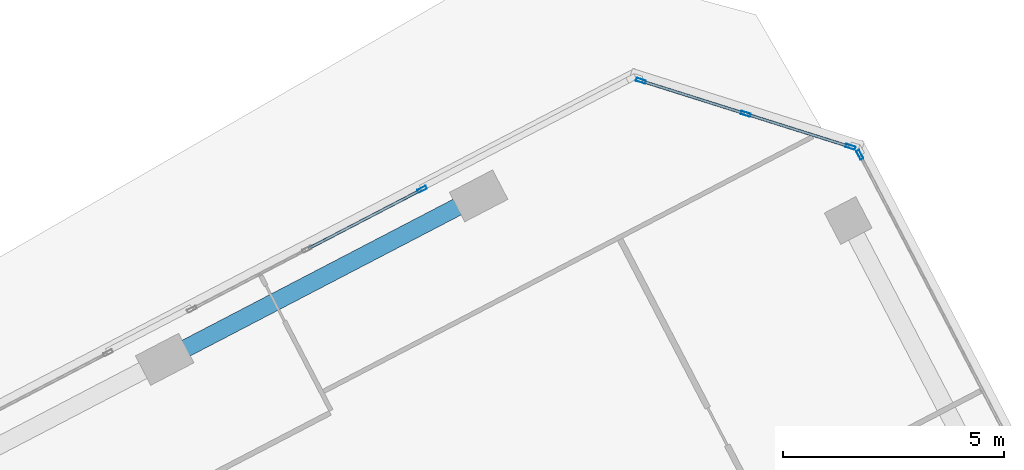
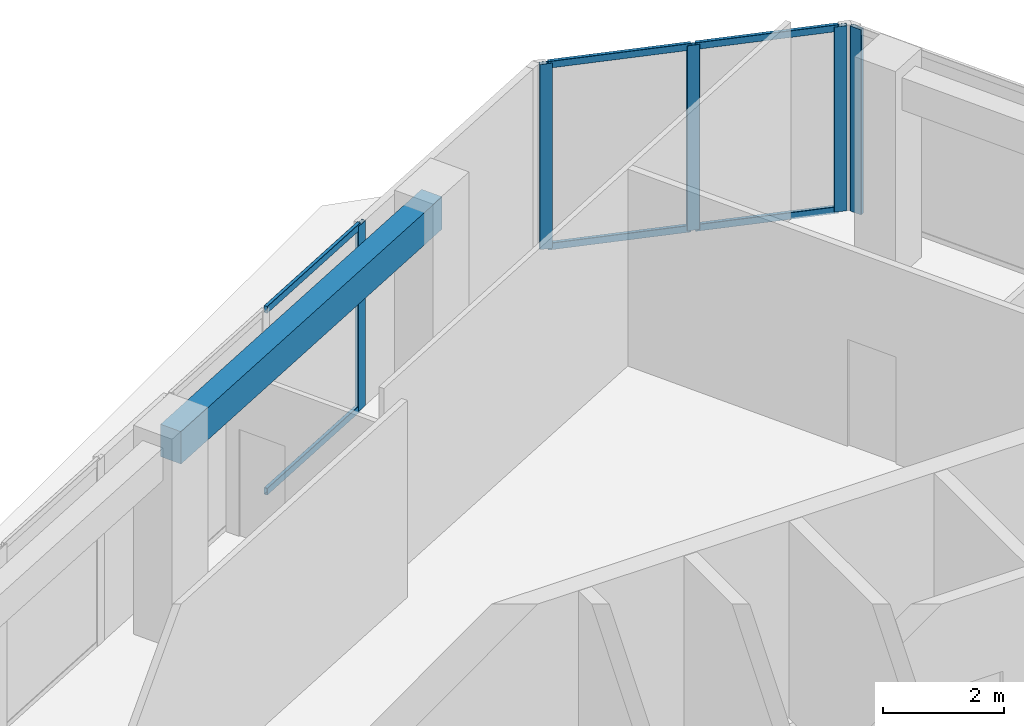
# One storey, part 9 of 16: 11 members, 1 beam, 3 elements without a shape of their own.
"""IFC4 building model written with IfcOpenShell, lengths in metres."""

from ifc_helpers import new_model, si_unit, direction, frame, origin, origin_2d, place, context, subcontext, project, spatial, rectangle, hollow_rectangle, extrude, source, transform, mapped, material, material_profile, profile_set, type_object, element, aggregate, save


model = new_model("IFC4")

# Units and contexts
model_context = context("Model", 3, precision=1e-05, world=origin(), true_north=direction((0.0, 1.0)))
body_context = subcontext(model_context, "Body", "Model", "MODEL_VIEW")
ifc_project = project(units=[si_unit("LENGTHUNIT", "METRE"), si_unit("AREAUNIT", "SQUARE_METRE"), si_unit("VOLUMEUNIT", "CUBIC_METRE"), si_unit("PLANEANGLEUNIT", "RADIAN"), si_unit("MASSUNIT", "GRAM", prefix="KILO")], contexts=[model_context])

# Site, building, storey
site_placement = place(None, origin())
site = spatial("IfcSite", under=ifc_project, at=site_placement, CompositionType="ELEMENT")
building_placement = place(site_placement, origin())
building = spatial("IfcBuilding", under=site, at=building_placement, Name="Torre Montelarca", CompositionType="ELEMENT")
storey_placement = place(building_placement, frame((0.0, 0.0, 328.199951171875)))
storey = spatial("IfcBuildingStorey", under=building, at=storey_placement, Name="L74", CompositionType="ELEMENT", Elevation=328.199951171875)

# Beam
ifc_material_1 = material(Name="Concrete C40/50", Category="concrete")
ifc_material_profile_1 = material_profile(ifc_material_1, rectangle(XDim=0.39990234375, YDim=0.64990234375, at=origin_2d()), Name="RCB400X650", Category="concrete")
ifc_profile_set_1 = profile_set([ifc_material_profile_1], Name="Concrete C40/50")
beam_type = type_object("IfcBeamType", Name="BM-SP-RC650-EXT", PredefinedType="SPANDREL", material=ifc_profile_set_1)
shared_shape_1 = source(origin(), body_context, "Body", "SweptSolid", [
    extrude(rectangle(XDim=0.39990234375, YDim=0.64990234375, at=origin_2d()), origin(), (0.0, 0.0, 1.0), 8.000244140625),
])
beam_placement = place(storey_placement, frame((13.719482421875, 46.946044921875, 3.635009765625), z_axis=(0.887008356996, 0.461753369906, 0.0), x_axis=(-0.461753369906, 0.887008356996, 0.0)))
element("IfcBeam", 1, at=beam_placement, inside=storey, type_object=beam_type, Name="L74 Grid Girder Y 32.0-40.0 at X=4.7", PredefinedType="SPANDREL", context=body_context, shape_type="MappedRepresentation", body=[
    mapped(shared_shape_1, transform((0.0, 0.0, 0.0), scale=1.0)),
])

# Curtain wall, members
ifc_material_2 = material(Name="Insulated low-E laminated glass", Category="glass")
curtain_wall_type = type_object("IfcCurtainWallType", Name="CW-SYS-Z4", PredefinedType="USERDEFINED", material=ifc_material_2)
curtain_wall_1_placement = place(storey_placement, origin())
curtain_wall_1 = element("IfcCurtainWall", 2, at=curtain_wall_1_placement, inside=storey, type_object=curtain_wall_type, Name="L74 Curtain Wall Run CW-T3-L74-E10-B1", ObjectType="UNITISED GLAZING", PredefinedType="USERDEFINED")
ifc_material_3 = material(Name="Anodised aluminium AA 6063-T6", Category="aluminium")
ifc_material_profile_2 = material_profile(ifc_material_3, hollow_rectangle(XDim=0.06494140625, YDim=0.139892578125, WallThickness=0.00390625, InnerFilletRadius=0.00390625, OuterFilletRadius=0.008056640625, at=origin_2d()), Name="ALU65X140X4", Category="aluminium")
ifc_profile_set_2 = profile_set([ifc_material_profile_2], Name="Anodised aluminium AA 6063-T6")
member_type_1 = type_object("IfcMemberType", Name="CWT-ALU140", PredefinedType="USERDEFINED", material=ifc_profile_set_2)
shared_shape_2 = source(origin(), body_context, "Body", "SweptSolid", [
    extrude(hollow_rectangle(XDim=0.06494140625, YDim=0.139892578125, WallThickness=0.00390625, InnerFilletRadius=0.00390625, OuterFilletRadius=0.008056640625, at=origin_2d()), origin(), (0.0, 0.0, 1.0), 2.857421875),
])
member_1_placement = place(storey_placement, frame((19.5029296875, 50.7685546875, 0.032470703125), z_axis=(-0.887029278376, -0.461713178611, 0.0), x_axis=(0.461713178611, -0.887029278376, 0.0)))
member_1 = element("IfcMember", 3, at=member_1_placement, type_object=member_type_1, Name="CW transom 1.1", ObjectType="TRANSOM", PredefinedType="USERDEFINED", context=body_context, shape_type="MappedRepresentation", body=[
    mapped(shared_shape_2, transform((0.0, 0.0, 0.0), scale=1.0)),
])
member_2_placement = place(storey_placement, frame((19.5029296875, 50.7685546875, 3.6875), z_axis=(-0.887029278376, -0.461713178611, 0.0), x_axis=(0.461713178611, -0.887029278376, 0.0)))
member_2 = element("IfcMember", 4, at=member_2_placement, type_object=member_type_1, Name="CW transom 1.2", ObjectType="TRANSOM", PredefinedType="USERDEFINED", context=body_context, shape_type="MappedRepresentation", body=[
    mapped(shared_shape_2, transform((0.0, 0.0, 0.0), scale=1.0)),
])

# Curtain wall, member
curtain_wall_2_placement = place(storey_placement, origin())
curtain_wall_2 = element("IfcCurtainWall", 5, at=curtain_wall_2_placement, inside=storey, type_object=curtain_wall_type, Name="L74 Curtain Wall Run CW-T3-L74-E08-B1", ObjectType="UNITISED GLAZING", PredefinedType="USERDEFINED")
ifc_material_profile_3 = material_profile(ifc_material_3, hollow_rectangle(XDim=0.074951171875, YDim=0.219970703125, WallThickness=0.0048828125, InnerFilletRadius=0.0048828125, OuterFilletRadius=0.010009765625, at=origin_2d()), Name="ALU75X220X5", Category="aluminium")
ifc_profile_set_3 = profile_set([ifc_material_profile_3], Name="Anodised aluminium AA 6063-T6")
member_type_2 = type_object("IfcMemberType", Name="CWM-ALU220", PredefinedType="MULLION", material=ifc_profile_set_3)
shared_shape_3 = source(origin(), body_context, "Body", "SweptSolid", [
    extrude(hollow_rectangle(XDim=0.074951171875, YDim=0.219970703125, WallThickness=0.0048828125, InnerFilletRadius=0.0048828125, OuterFilletRadius=0.010009765625, at=origin_2d()), origin(), (0.0, 0.0, 1.0), 3.719970703125),
])
member_3_placement = place(storey_placement, frame((29.429931640625, 51.5693359375, 0.0), z_axis=(0.0, 0.0, 1.0), x_axis=(-0.887012754742, -0.461744921926, 0.0)))
member_3 = element("IfcMember", 6, at=member_3_placement, type_object=member_type_2, Name="CW mullion 3", PredefinedType="MULLION", context=body_context, shape_type="MappedRepresentation", body=[
    mapped(shared_shape_3, transform((0.0, 0.0, 0.0), scale=1.0)),
])
aggregate(curtain_wall_2, [member_3])

# Curtain wall, members
curtain_wall_3_placement = place(storey_placement, origin())
curtain_wall_3 = element("IfcCurtainWall", 7, at=curtain_wall_3_placement, inside=storey, type_object=curtain_wall_type, Name="L74 Curtain Wall Run CW-T3-L74-E09-B1", ObjectType="UNITISED GLAZING", PredefinedType="USERDEFINED")
member_4_placement = place(storey_placement, frame((29.21826171875, 51.7470703125, 0.0), z_axis=(0.0, 0.0, 1.0), x_axis=(-0.300692834013, -0.953721038655, 0.0)))
member_4 = element("IfcMember", 8, at=member_4_placement, type_object=member_type_2, Name="CW mullion 1", PredefinedType="MULLION", context=body_context, shape_type="MappedRepresentation", body=[
    mapped(shared_shape_3, transform((0.0, 0.0, 0.0), scale=1.0)),
])
member_5_placement = place(storey_placement, frame((26.849609375, 52.493896484375, 0.0), z_axis=(0.0, 0.0, 1.0), x_axis=(-0.300692834013, -0.953721038655, 0.0)))
member_5 = element("IfcMember", 9, at=member_5_placement, type_object=member_type_2, Name="CW mullion 2", PredefinedType="MULLION", context=body_context, shape_type="MappedRepresentation", body=[
    mapped(shared_shape_3, transform((0.0, 0.0, 0.0), scale=1.0)),
])
member_6_placement = place(storey_placement, frame((24.48095703125, 53.24072265625, 0.0), z_axis=(0.0, 0.0, 1.0), x_axis=(-0.300692834013, -0.953721038655, 0.0)))
member_6 = element("IfcMember", 10, at=member_6_placement, type_object=member_type_2, Name="CW mullion 3", PredefinedType="MULLION", context=body_context, shape_type="MappedRepresentation", body=[
    mapped(shared_shape_3, transform((0.0, 0.0, 0.0), scale=1.0)),
])

# Member
member_7_placement = place(storey_placement, frame((19.5361328125, 50.785888671875, 0.0), z_axis=(0.0, 0.0, 1.0), x_axis=(0.461753424587, -0.88700832853, 0.0)))
member_7 = element("IfcMember", 11, at=member_7_placement, type_object=member_type_2, Name="CW mullion 1", PredefinedType="MULLION", context=body_context, shape_type="MappedRepresentation", body=[
    mapped(shared_shape_3, transform((0.0, 0.0, 0.0), scale=1.0)),
])

aggregate(curtain_wall_1, [member_7, member_1, member_2])

shared_shape_4 = source(origin(), body_context, "Body", "SweptSolid", [
    extrude(hollow_rectangle(XDim=0.06494140625, YDim=0.139892578125, WallThickness=0.00390625, InnerFilletRadius=0.00390625, OuterFilletRadius=0.008056640625, at=origin_2d()), origin(), (0.0, 0.0, 1.0), 2.40869140625),
])
member_8_placement = place(storey_placement, frame((29.1826171875, 51.75830078125, 0.032470703125), z_axis=(-0.953744897791, 0.300617148443, 0.0), x_axis=(-0.300617148443, -0.953744897791, 0.0)))
member_8 = element("IfcMember", 12, at=member_8_placement, type_object=member_type_1, Name="CW transom 1.1", ObjectType="TRANSOM", PredefinedType="USERDEFINED", context=body_context, shape_type="MappedRepresentation", body=[
    mapped(shared_shape_4, transform((0.0, 0.0, 0.0), scale=1.0)),
])

member_9_placement = place(storey_placement, frame((29.1826171875, 51.75830078125, 3.6875), z_axis=(-0.953744897791, 0.300617148443, 0.0), x_axis=(-0.300617148443, -0.953744897791, 0.0)))
member_9 = element("IfcMember", 13, at=member_9_placement, type_object=member_type_1, Name="CW transom 1.2", ObjectType="TRANSOM", PredefinedType="USERDEFINED", context=body_context, shape_type="MappedRepresentation", body=[
    mapped(shared_shape_4, transform((0.0, 0.0, 0.0), scale=1.0)),
])

shared_shape_5 = source(origin(), body_context, "Body", "SweptSolid", [
    extrude(hollow_rectangle(XDim=0.06494140625, YDim=0.139892578125, WallThickness=0.00390625, InnerFilletRadius=0.00390625, OuterFilletRadius=0.008056640625, at=origin_2d()), origin(), (0.0, 0.0, 1.0), 2.408447265625),
])
member_10_placement = place(storey_placement, frame((26.813720703125, 52.505126953125, 0.032470703125), z_axis=(-0.953735736998, 0.300646210642, 0.0), x_axis=(-0.300646210642, -0.953735736998, 0.0)))
member_10 = element("IfcMember", 14, at=member_10_placement, type_object=member_type_1, Name="CW transom 2.1", ObjectType="TRANSOM", PredefinedType="USERDEFINED", context=body_context, shape_type="MappedRepresentation", body=[
    mapped(shared_shape_5, transform((0.0, 0.0, 0.0), scale=1.0)),
])

member_11_placement = place(storey_placement, frame((26.813720703125, 52.505126953125, 3.6875), z_axis=(-0.953735736998, 0.300646210642, 0.0), x_axis=(-0.300646210642, -0.953735736998, 0.0)))
member_11 = element("IfcMember", 15, at=member_11_placement, type_object=member_type_1, Name="CW transom 2.2", ObjectType="TRANSOM", PredefinedType="USERDEFINED", context=body_context, shape_type="MappedRepresentation", body=[
    mapped(shared_shape_5, transform((0.0, 0.0, 0.0), scale=1.0)),
])

aggregate(curtain_wall_3, [member_4, member_5, member_6, member_8, member_9, member_10, member_11])

save(model, "model.ifc")
